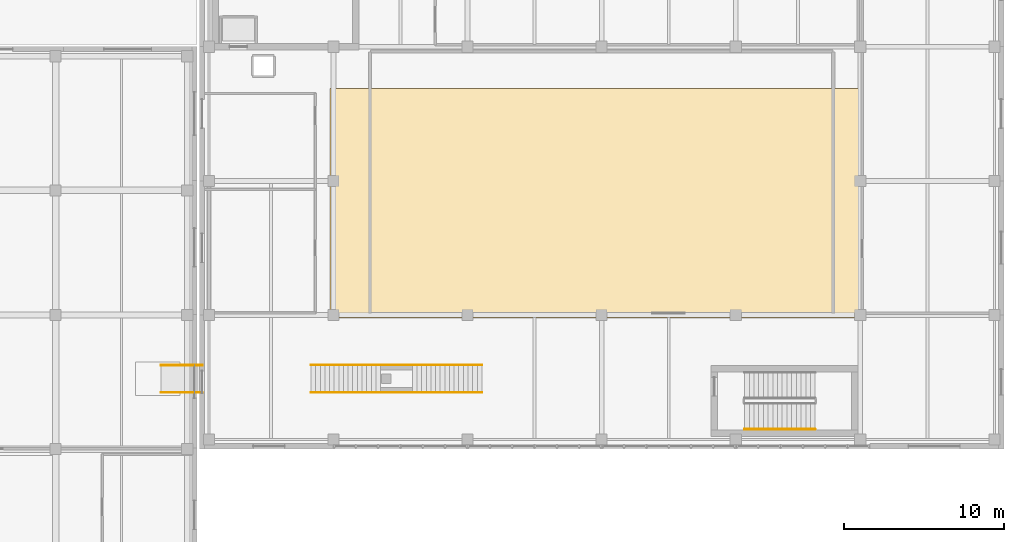
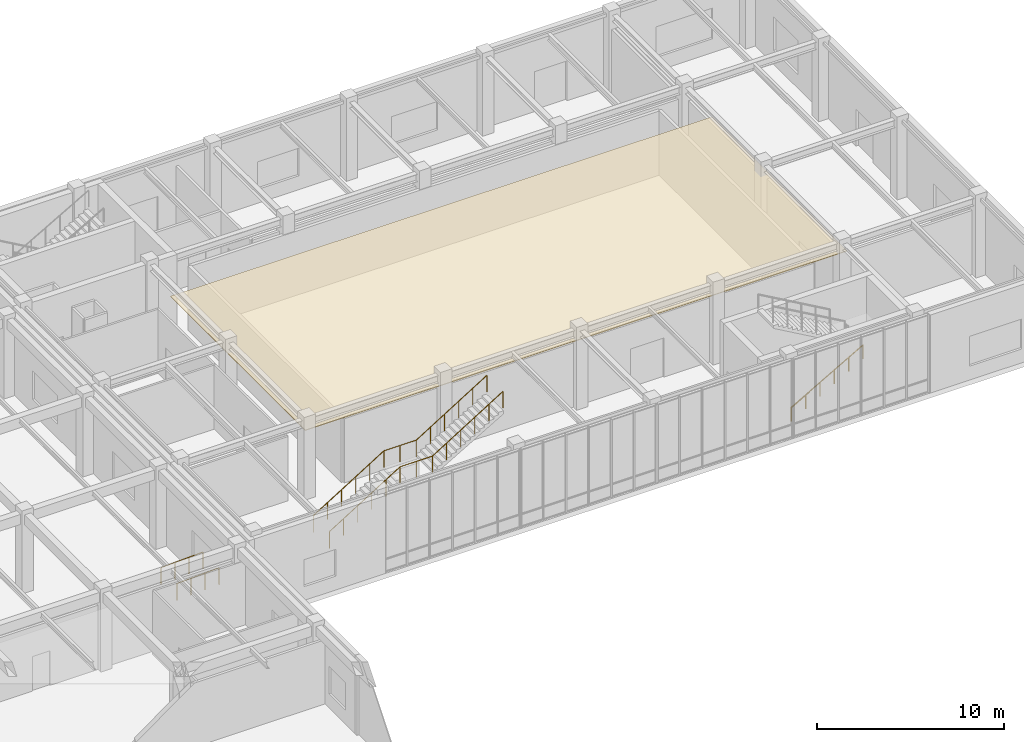
# One storey, part 119 of 122: 5 railings, 1 covering.
"""IFC4 building model written with IfcOpenShell, lengths in metres."""

from ifc_helpers import new_model, si_unit, direction, frame, origin, origin_2d, place, context, subcontext, project, spatial, polyline, circle, outline, extrude, material, layer, layer_set, type_object, element, save


model = new_model("IFC4")

# Units and contexts
model_context = context("Model", 3, precision=1e-05, world=origin(), true_north=direction((0.0, 1.0)))
body_context = subcontext(model_context, "Body", "Model", "MODEL_VIEW")
ifc_project = project(units=[si_unit("LENGTHUNIT", "METRE"), si_unit("AREAUNIT", "SQUARE_METRE"), si_unit("VOLUMEUNIT", "CUBIC_METRE"), si_unit("PLANEANGLEUNIT", "RADIAN"), si_unit("MASSUNIT", "GRAM", prefix="KILO")], contexts=[model_context])

# Site, building, storey
site_placement = place(None, origin())
site = spatial("IfcSite", under=ifc_project, at=site_placement, CompositionType="ELEMENT")
building_placement = place(site_placement, origin())
building = spatial("IfcBuilding", under=site, at=building_placement, Name="Zayran Congress Hotel", CompositionType="ELEMENT")
storey_placement = place(building_placement, origin())
storey = spatial("IfcBuildingStorey", under=building, at=storey_placement, Name="L00", CompositionType="ELEMENT", Elevation=0.0)

# Railings
ifc_material_1 = material(Name="Warm bronze anodised aluminium balustrade", Category="aluminium")
railing_type_1 = type_object("IfcRailingType", Name="TP-GRD-EXT", PredefinedType="GUARDRAIL", material=ifc_material_1)
for number, where, name in (
    (1, (140.39990234375, 87.949951171875, -0.1201171875), "HND-RMP-03-L"),
    (2, (140.39990234375, 89.64990234375, -0.1201171875), "HND-RMP-03-R"),
):
    element("IfcRailing", number, at=place(storey_placement, frame(where)), inside=storey, type_object=railing_type_1, Name=name, PredefinedType="GUARDRAIL", context=body_context, shape_type="SweptSolid", body=[
        extrude(circle(Radius=0.02392578125, at=origin_2d()), frame((0.0, 0.0, 1.09619140625), z_axis=(0.998934615126, 0.0, 0.046147965318), x_axis=(0.0, 1.0, 0.0)), (0.0, 0.0, 1.0), 2.602783203125),
        extrude(circle(Radius=0.02099609375, at=origin_2d()), origin(), (0.0, 0.0, 1.0), 1.072021484375),
        extrude(circle(Radius=0.02099609375, at=origin_2d()), frame((0.86669921875, 0.0, 0.0400390625)), (0.0, 0.0, 1.0), 1.072021484375),
        extrude(circle(Radius=0.02099609375, at=origin_2d()), frame((1.7333984375, 0.0, 0.080078125)), (0.0, 0.0, 1.0), 1.072021484375),
        extrude(circle(Radius=0.02099609375, at=origin_2d()), frame((2.60009765625, 0.0, 0.1201171875)), (0.0, 0.0, 1.0), 1.072021484375),
    ])
ifc_material_2 = material(Name="Painted steel balustrade", Category="steel")
railing_type_2 = type_object("IfcRailingType", Name="TP-GRD-INT", PredefinedType="GUARDRAIL", material=ifc_material_2)
railing_1_placement = place(storey_placement, frame((149.800048828125, 87.93994140625, 0.0)))
element("IfcRailing", 3, at=railing_1_placement, inside=storey, type_object=railing_type_2, Name="GRD-VOM-04-R", PredefinedType="GUARDRAIL", context=body_context, shape_type="SweptSolid", body=[
    extrude(circle(Radius=0.02392578125, at=origin_2d()), frame((0.0, 0.0, 1.076171875), z_axis=(0.849636482215, 0.0, 0.527368797038), x_axis=(0.0, 1.0, 0.0)), (0.0, 0.0, 1.0), 5.11962890625),
    extrude(circle(Radius=0.02392578125, at=origin_2d()), frame((4.349853515625, 0.0, 3.77587890625), z_axis=(1.0, 0.0, 0.0), x_axis=(0.0, 1.0, 0.0)), (0.0, 0.0, 1.0), 2.0),
    extrude(circle(Radius=0.02392578125, at=origin_2d()), frame((6.349853515625, 0.0, 3.77587890625), z_axis=(0.849649743971, 0.0, 0.527347430608), x_axis=(0.0, 1.0, 0.0)), (0.0, 0.0, 1.0), 5.119873046875),
    extrude(circle(Radius=0.02099609375, at=origin_2d()), origin(), (0.0, 0.0, 1.0), 1.052001953125),
    extrude(circle(Radius=0.02099609375, at=origin_2d()), frame((0.869873046875, 0.0, 0.5400390625)), (0.0, 0.0, 1.0), 1.052001953125),
    extrude(circle(Radius=0.02099609375, at=origin_2d()), frame((1.739990234375, 0.0, 1.080078125)), (0.0, 0.0, 1.0), 1.052001953125),
    extrude(circle(Radius=0.02099609375, at=origin_2d()), frame((2.60986328125, 0.0, 1.619873046875)), (0.0, 0.0, 1.0), 1.052001953125),
    extrude(circle(Radius=0.02099609375, at=origin_2d()), frame((3.47998046875, 0.0, 2.159912109375)), (0.0, 0.0, 1.0), 1.052001953125),
    extrude(circle(Radius=0.02099609375, at=origin_2d()), frame((4.349853515625, 0.0, 2.699951171875)), (0.0, 0.0, 1.0), 1.052001953125),
    extrude(circle(Radius=0.02099609375, at=origin_2d()), frame((5.349853515625, 0.0, 2.699951171875)), (0.0, 0.0, 1.0), 1.052001953125),
    extrude(circle(Radius=0.02099609375, at=origin_2d()), frame((6.349853515625, 0.0, 2.699951171875)), (0.0, 0.0, 1.0), 1.052001953125),
    extrude(circle(Radius=0.02099609375, at=origin_2d()), frame((7.219970703125, 0.0, 3.239990234375)), (0.0, 0.0, 1.0), 1.052001953125),
    extrude(circle(Radius=0.02099609375, at=origin_2d()), frame((8.08984375, 0.0, 3.780029296875)), (0.0, 0.0, 1.0), 1.052001953125),
    extrude(circle(Radius=0.02099609375, at=origin_2d()), frame((8.9599609375, 0.0, 4.31982421875)), (0.0, 0.0, 1.0), 1.052001953125),
    extrude(circle(Radius=0.02099609375, at=origin_2d()), frame((9.829833984375, 0.0, 4.85986328125)), (0.0, 0.0, 1.0), 1.052001953125),
    extrude(circle(Radius=0.02099609375, at=origin_2d()), frame((10.699951171875, 0.0, 5.39990234375)), (0.0, 0.0, 1.0), 1.052001953125),
])
railing_2_placement = place(storey_placement, frame((149.800048828125, 89.659912109375, 0.0)))
element("IfcRailing", 4, at=railing_2_placement, inside=storey, type_object=railing_type_2, Name="GRD-VOM-04-L", PredefinedType="GUARDRAIL", context=body_context, shape_type="SweptSolid", body=[
    extrude(circle(Radius=0.02392578125, at=origin_2d()), frame((0.0, 0.0, 1.076171875), z_axis=(0.849636482215, 0.0, 0.527368797038), x_axis=(0.0, 1.0, 0.0)), (0.0, 0.0, 1.0), 5.11962890625),
    extrude(circle(Radius=0.02392578125, at=origin_2d()), frame((4.349853515625, 0.0, 3.77587890625), z_axis=(1.0, 0.0, 0.0), x_axis=(0.0, 1.0, 0.0)), (0.0, 0.0, 1.0), 2.0),
    extrude(circle(Radius=0.02392578125, at=origin_2d()), frame((6.349853515625, 0.0, 3.77587890625), z_axis=(0.849649743971, 0.0, 0.527347430608), x_axis=(0.0, 1.0, 0.0)), (0.0, 0.0, 1.0), 5.119873046875),
    extrude(circle(Radius=0.02099609375, at=origin_2d()), origin(), (0.0, 0.0, 1.0), 1.052001953125),
    extrude(circle(Radius=0.02099609375, at=origin_2d()), frame((0.869873046875, 0.0, 0.5400390625)), (0.0, 0.0, 1.0), 1.052001953125),
    extrude(circle(Radius=0.02099609375, at=origin_2d()), frame((1.739990234375, 0.0, 1.080078125)), (0.0, 0.0, 1.0), 1.052001953125),
    extrude(circle(Radius=0.02099609375, at=origin_2d()), frame((2.60986328125, 0.0, 1.619873046875)), (0.0, 0.0, 1.0), 1.052001953125),
    extrude(circle(Radius=0.02099609375, at=origin_2d()), frame((3.47998046875, 0.0, 2.159912109375)), (0.0, 0.0, 1.0), 1.052001953125),
    extrude(circle(Radius=0.02099609375, at=origin_2d()), frame((4.349853515625, 0.0, 2.699951171875)), (0.0, 0.0, 1.0), 1.052001953125),
    extrude(circle(Radius=0.02099609375, at=origin_2d()), frame((5.349853515625, 0.0, 2.699951171875)), (0.0, 0.0, 1.0), 1.052001953125),
    extrude(circle(Radius=0.02099609375, at=origin_2d()), frame((6.349853515625, 0.0, 2.699951171875)), (0.0, 0.0, 1.0), 1.052001953125),
    extrude(circle(Radius=0.02099609375, at=origin_2d()), frame((7.219970703125, 0.0, 3.239990234375)), (0.0, 0.0, 1.0), 1.052001953125),
    extrude(circle(Radius=0.02099609375, at=origin_2d()), frame((8.08984375, 0.0, 3.780029296875)), (0.0, 0.0, 1.0), 1.052001953125),
    extrude(circle(Radius=0.02099609375, at=origin_2d()), frame((8.9599609375, 0.0, 4.31982421875)), (0.0, 0.0, 1.0), 1.052001953125),
    extrude(circle(Radius=0.02099609375, at=origin_2d()), frame((9.829833984375, 0.0, 4.85986328125)), (0.0, 0.0, 1.0), 1.052001953125),
    extrude(circle(Radius=0.02099609375, at=origin_2d()), frame((10.699951171875, 0.0, 5.39990234375)), (0.0, 0.0, 1.0), 1.052001953125),
])
ifc_material_3 = material(Name="Brushed stainless steel handrail", Category="steel")
railing_type_3 = type_object("IfcRailingType", Name="TP-HND-STR", PredefinedType="HANDRAIL", material=ifc_material_3)
railing_3_placement = place(storey_placement, frame((176.949951171875, 85.64990234375, 0.168701171875)))
element("IfcRailing", 5, at=railing_3_placement, inside=storey, type_object=railing_type_3, Name="L00 ST-10 stair handrail 1", PredefinedType="HANDRAIL", context=body_context, shape_type="SweptSolid", body=[
    extrude(circle(Radius=0.02392578125, at=origin_2d()), frame((0.0, 0.0, 0.8759765625), z_axis=(0.868019072493, 0.0, 0.49653085482), x_axis=(0.0, 1.0, 0.0)), (0.0, 0.0, 1.0), 5.097900390625),
    extrude(circle(Radius=0.02099609375, at=origin_2d()), origin(), (0.0, 0.0, 1.0), 0.851806640625),
    extrude(circle(Radius=0.02099609375, at=origin_2d()), frame((0.885009765625, 0.0, 0.50634765625)), (0.0, 0.0, 1.0), 0.851806640625),
    extrude(circle(Radius=0.02099609375, at=origin_2d()), frame((1.77001953125, 0.0, 1.012451171875)), (0.0, 0.0, 1.0), 0.851806640625),
    extrude(circle(Radius=0.02099609375, at=origin_2d()), frame((2.655029296875, 0.0, 1.518798828125)), (0.0, 0.0, 1.0), 0.851806640625),
    extrude(circle(Radius=0.02099609375, at=origin_2d()), frame((3.5400390625, 0.0, 2.02490234375)), (0.0, 0.0, 1.0), 0.851806640625),
    extrude(circle(Radius=0.02099609375, at=origin_2d()), frame((4.425048828125, 0.0, 2.53125)), (0.0, 0.0, 1.0), 0.851806640625),
])

# Covering
ifc_material_4 = material(Name="Perforated acoustic gypsum ceiling board", Category="gypsum")
ifc_layer = layer(ifc_material_4, 0.044921875)
ifc_layer_set = layer_set([ifc_layer], Name="Perforated acoustic gypsum ceiling board")
covering_type = type_object("IfcCoveringType", Name="TP-CLG-AC1", PredefinedType="CEILING", material=ifc_layer_set)
covering_placement = place(storey_placement, frame((0.0, 0.0, 4.39990234375)))
element("IfcCovering", 6, at=covering_placement, inside=storey, type_object=covering_type, Name="Acoustic Suspended Ceiling L00-02", PredefinedType="CEILING", context=body_context, shape_type="SweptSolid", body=[
    extrude(outline(polyline([(151.0, 92.60009765625), (184.39990234375, 92.60009765625), (184.39990234375, 107.0), (151.0, 107.0), (151.0, 92.60009765625)])), origin(), (0.0, 0.0, 1.0), 0.045166015625),
])

save(model, "model.ifc")
